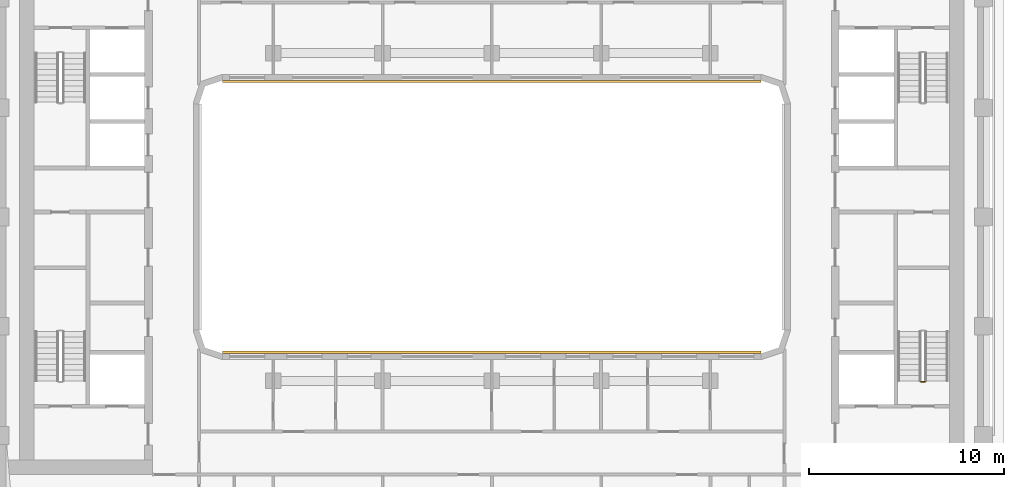
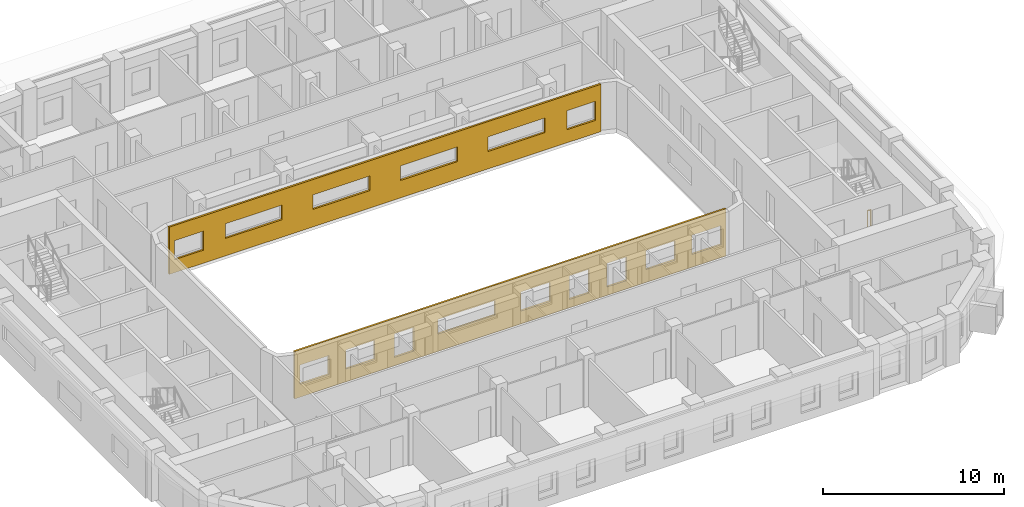
# One storey, part 15 of 21: 2 coverings, 1 railing.
"""IFC4 building model written with IfcOpenShell, lengths in metres."""

from ifc_helpers import new_model, si_unit, direction, frame, origin, origin_2d, place, context, subcontext, project, spatial, polyline, circle, outline, extrude, material, layer, layer_set, type_object, element, save


model = new_model("IFC4")

# Units and contexts
model_context = context("Model", 3, precision=1e-05, world=origin(), true_north=direction((0.0, 1.0)))
body_context = subcontext(model_context, "Body", "Model", "MODEL_VIEW")
ifc_project = project(units=[si_unit("LENGTHUNIT", "METRE"), si_unit("AREAUNIT", "SQUARE_METRE"), si_unit("VOLUMEUNIT", "CUBIC_METRE"), si_unit("PLANEANGLEUNIT", "RADIAN"), si_unit("MASSUNIT", "GRAM", prefix="KILO")], contexts=[model_context])

# Site, building, storey
site_placement = place(None, origin())
site = spatial("IfcSite", under=ifc_project, at=site_placement, CompositionType="ELEMENT")
building_placement = place(site_placement, origin())
building = spatial("IfcBuilding", under=site, at=building_placement, Name="Kiln Ring Residences", CompositionType="ELEMENT")
storey_placement = place(building_placement, frame((0.0, 0.0, 195.89990234375)))
storey = spatial("IfcBuildingStorey", under=building, at=storey_placement, Name="L50", CompositionType="ELEMENT", Elevation=195.89990234375)

# Railing
ifc_material_1 = material(Name="Stainless steel", Category="steel")
railing_type = type_object("IfcRailingType", Name="CORE-STAIR-GUARD", PredefinedType="GUARDRAIL", material=ifc_material_1)
railing_placement = place(storey_placement, frame((22.199951171875, -8.449951171875, 0.0)))
element("IfcRailing", 1, at=railing_placement, inside=storey, type_object=railing_type, Name="L50 E-STS stair guard 4", PredefinedType="GUARDRAIL", context=body_context, shape_type="SweptSolid", body=[
    extrude(circle(Radius=0.02392578125, at=origin_2d()), frame((0.0, 0.0, 1.076171875), z_axis=(-1.0, 0.0, 0.0), x_axis=(0.0, -1.0, 0.0)), (0.0, 0.0, 1.0), 0.199951171875),
    extrude(circle(Radius=0.02099609375, at=origin_2d()), origin(), (0.0, 0.0, 1.0), 1.052001953125),
    extrude(circle(Radius=0.02099609375, at=origin_2d()), frame((-0.199951171875, 0.0, 0.0)), (0.0, 0.0, 1.0), 1.052001953125),
])

# Coverings
ifc_material_2 = material(Name="Brick masonry, dark clay brick", Category="masonry")
ifc_layer = layer(ifc_material_2, 0.1201171875)
ifc_layer_set = layer_set([ifc_layer], Name="RAINSCREEN PANEL 120")
covering_type = type_object("IfcCoveringType", Name="RAINSCREEN PANEL 120", PredefinedType="CLADDING", material=ifc_layer_set)
covering_1_placement = place(storey_placement, frame((-13.800048828125, 6.93994140625, 0.0), z_axis=(0.0, 0.0, 1.0), x_axis=(1.0, 0.0, 0.0)))
element("IfcCovering", 2, at=covering_1_placement, inside=storey, type_object=covering_type, Name="RAINSCREEN L50", PredefinedType="CLADDING", context=body_context, shape_type="SweptSolid", body=[
    extrude(outline(polyline([(0.0, 0.0), (27.60009765625, 0.0), (27.60009765625, 3.2001953125), (0.0, 3.2001953125), (0.0, 0.0)]), holes=[polyline([(2.1826171875, 0.880126953125), (2.1826171875, 2.170166015625), (0.342529296875, 2.170166015625), (0.342529296875, 0.880126953125), (2.1826171875, 0.880126953125)]), polyline([(25.41748046875, 0.880126953125), (27.257568359375, 0.880126953125), (27.257568359375, 2.170166015625), (25.41748046875, 2.170166015625), (25.41748046875, 0.880126953125)]), polyline([(3.580078125, 1.18017578125), (7.219970703125, 1.18017578125), (7.219970703125, 2.170166015625), (3.580078125, 2.170166015625), (3.580078125, 1.18017578125)]), polyline([(12.820068359375, 1.18017578125), (12.820068359375, 2.170166015625), (9.179931640625, 2.170166015625), (9.179931640625, 1.18017578125), (12.820068359375, 1.18017578125)]), polyline([(14.780029296875, 1.18017578125), (18.419921875, 1.18017578125), (18.419921875, 2.170166015625), (14.780029296875, 2.170166015625), (14.780029296875, 1.18017578125)]), polyline([(20.3798828125, 1.18017578125), (24.02001953125, 1.18017578125), (24.02001953125, 2.170166015625), (20.3798828125, 2.170166015625), (20.3798828125, 1.18017578125)])]), frame((0.0, 0.06005859375, 0.0), z_axis=(0.0, -1.0, 0.0), x_axis=(1.0, 0.0, 0.0)), (0.0, 0.0, 1.0), 0.1201171875),
])
covering_2_placement = place(storey_placement, frame((13.800048828125, -6.93994140625, 0.0), z_axis=(0.0, 0.0, 1.0), x_axis=(-1.0, 0.0, 0.0)))
element("IfcCovering", 3, at=covering_2_placement, inside=storey, type_object=covering_type, Name="RAINSCREEN L50", PredefinedType="CLADDING", context=body_context, shape_type="SweptSolid", body=[
    extrude(outline(polyline([(0.0, 0.0), (27.60009765625, 0.0), (27.60009765625, 3.2001953125), (0.0, 3.2001953125), (0.0, 0.0)]), holes=[polyline([(6.3798828125, 0.580078125), (7.6201171875, 0.580078125), (7.6201171875, 2.170166015625), (6.3798828125, 2.170166015625), (6.3798828125, 0.580078125)]), polyline([(8.780029296875, 0.580078125), (10.02001953125, 0.580078125), (10.02001953125, 2.170166015625), (8.780029296875, 2.170166015625), (8.780029296875, 0.580078125)]), polyline([(19.97998046875, 0.580078125), (21.219970703125, 0.580078125), (21.219970703125, 2.170166015625), (19.97998046875, 2.170166015625), (19.97998046875, 0.580078125)]), polyline([(0.342529296875, 0.880126953125), (2.1826171875, 0.880126953125), (2.1826171875, 2.170166015625), (0.342529296875, 2.170166015625), (0.342529296875, 0.880126953125)]), polyline([(3.280029296875, 0.880126953125), (5.1201171875, 0.880126953125), (5.1201171875, 2.170166015625), (3.280029296875, 2.170166015625), (3.280029296875, 0.880126953125)]), polyline([(11.280029296875, 0.880126953125), (13.1201171875, 0.880126953125), (13.1201171875, 2.170166015625), (11.280029296875, 2.170166015625), (11.280029296875, 0.880126953125)]), polyline([(22.47998046875, 0.880126953125), (24.320068359375, 0.880126953125), (24.320068359375, 2.170166015625), (22.47998046875, 2.170166015625), (22.47998046875, 0.880126953125)]), polyline([(25.41748046875, 2.170166015625), (25.41748046875, 0.880126953125), (27.257568359375, 0.880126953125), (27.257568359375, 2.170166015625), (25.41748046875, 2.170166015625)]), polyline([(14.780029296875, 2.170166015625), (14.780029296875, 1.18017578125), (18.419921875, 1.18017578125), (18.419921875, 2.170166015625), (14.780029296875, 2.170166015625)])]), frame((0.0, 0.06005859375, 0.0), z_axis=(0.0, -1.0, 0.0), x_axis=(1.0, 0.0, 0.0)), (0.0, 0.0, 1.0), 0.1201171875),
])

save(model, "model.ifc")
